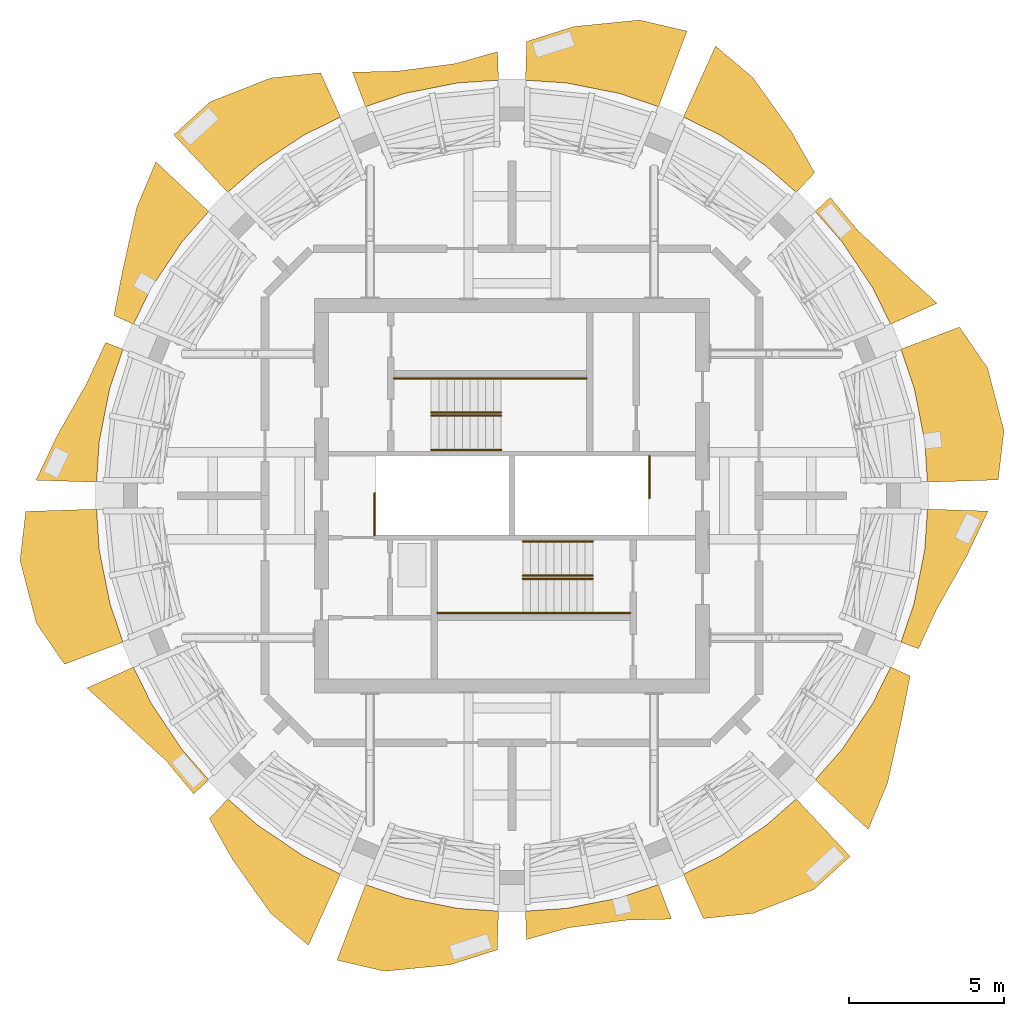
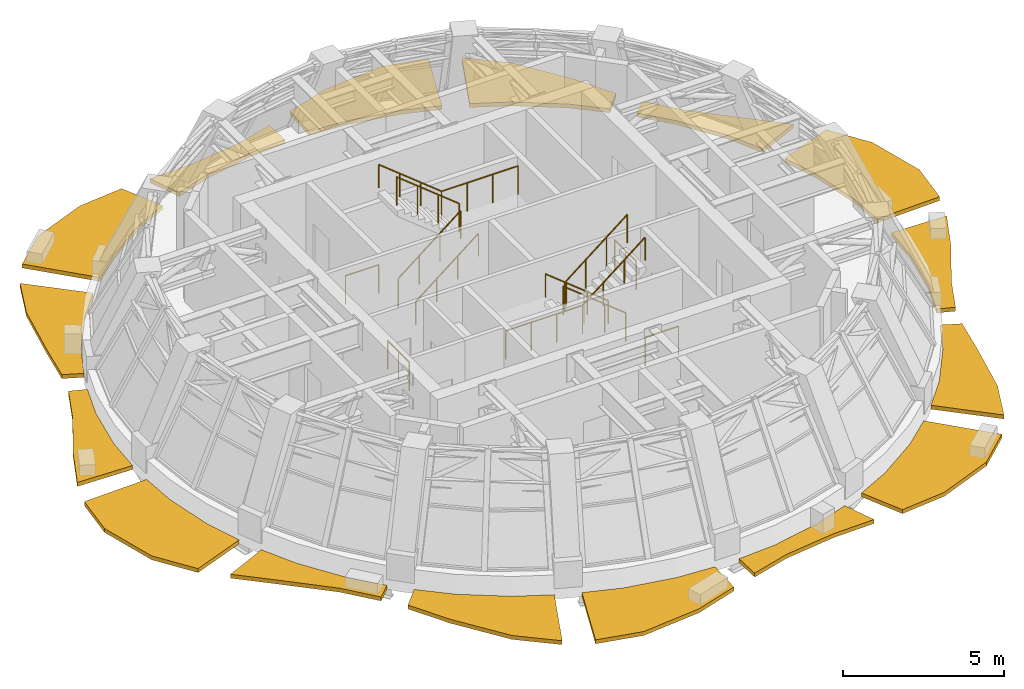
# One storey, part 11 of 12: 16 shading devices, 14 railings.
"""IFC4 building model written with IfcOpenShell, lengths in metres."""

from ifc_helpers import new_model, si_unit, direction, frame, origin, origin_2d, place, context, subcontext, project, spatial, polyline, circle, outline, extrude, material, type_object, element, save


model = new_model("IFC4")

# Units and contexts
model_context = context("Model", 3, precision=1e-05, world=origin(), true_north=direction((0.0, 1.0)))
body_context = subcontext(model_context, "Body", "Model", "MODEL_VIEW")
ifc_project = project(units=[si_unit("LENGTHUNIT", "METRE"), si_unit("AREAUNIT", "SQUARE_METRE"), si_unit("VOLUMEUNIT", "CUBIC_METRE"), si_unit("PLANEANGLEUNIT", "RADIAN"), si_unit("MASSUNIT", "GRAM", prefix="KILO")], contexts=[model_context])

# Site, building, storey
site_placement = place(None, origin())
site = spatial("IfcSite", under=ifc_project, at=site_placement, CompositionType="ELEMENT")
building_placement = place(site_placement, origin())
building = spatial("IfcBuilding", under=site, at=building_placement, Name="Polderwave Tower", CompositionType="ELEMENT")
storey_placement = place(building_placement, frame((0.0, 0.0, 235.39990234375)))
storey = spatial("IfcBuildingStorey", under=building, at=storey_placement, Name="L64", CompositionType="ELEMENT", Elevation=235.39990234375)

# Railings
ifc_material_1 = material(Name="Stainless steel", Category="steel")
railing_type_1 = type_object("IfcRailingType", Name="Stair guard 1100", PredefinedType="GUARDRAIL", material=ifc_material_1)
railing_1_placement = place(storey_placement, frame((-4.424072265625, -1.27490234375, 0.0)))
element("IfcRailing", 1, at=railing_1_placement, inside=storey, type_object=railing_type_1, Name="L64 ST-A top well guard 1", PredefinedType="GUARDRAIL", context=body_context, shape_type="SweptSolid", body=[
    extrude(circle(Radius=0.02392578125, at=origin_2d()), frame((0.0, 0.0, 1.076171875), z_axis=(0.0, 1.0, 0.0), x_axis=(-1.0, 0.0, 0.0)), (0.0, 0.0, 1.0), 1.349853515625),
    extrude(circle(Radius=0.02099609375, at=origin_2d()), origin(), (0.0, 0.0, 1.0), 1.052001953125),
    extrude(circle(Radius=0.02099609375, at=origin_2d()), frame((0.0, 0.6748046875, 0.0)), (0.0, 0.0, 1.0), 1.052001953125),
    extrude(circle(Radius=0.02099609375, at=origin_2d()), frame((0.0, 1.349853515625, 0.0)), (0.0, 0.0, 1.0), 1.052001953125),
])
railing_2_placement = place(storey_placement, frame((4.424072265625, 1.27490234375, 0.0)))
element("IfcRailing", 2, at=railing_2_placement, inside=storey, type_object=railing_type_1, Name="L64 ST-B top well guard 1", PredefinedType="GUARDRAIL", context=body_context, shape_type="SweptSolid", body=[
    extrude(circle(Radius=0.02392578125, at=origin_2d()), frame((0.0, 0.0, 1.076171875), z_axis=(0.0, -1.0, 0.0), x_axis=(1.0, 0.0, 0.0)), (0.0, 0.0, 1.0), 1.349853515625),
    extrude(circle(Radius=0.02099609375, at=origin_2d()), origin(), (0.0, 0.0, 1.0), 1.052001953125),
    extrude(circle(Radius=0.02099609375, at=origin_2d()), frame((0.0, -0.6748046875, 0.0)), (0.0, 0.0, 1.0), 1.052001953125),
    extrude(circle(Radius=0.02099609375, at=origin_2d()), frame((0.0, -1.349853515625, 0.0)), (0.0, 0.0, 1.0), 1.052001953125),
])
railing_3_placement = place(storey_placement, frame((-2.60009765625, 2.574951171875, 0.2001953125)))
element("IfcRailing", 3, at=railing_3_placement, inside=storey, type_object=railing_type_1, Name="L64 ST-S1 stair guard 1", PredefinedType="GUARDRAIL", context=body_context, shape_type="SweptSolid", body=[
    extrude(circle(Radius=0.02392578125, at=origin_2d()), frame((0.0, 0.0, 1.076171875), z_axis=(0.780901874994, 0.0, 0.624653713374), x_axis=(0.0, 1.0, 0.0)), (0.0, 0.0, 1.0), 2.88134765625),
    extrude(circle(Radius=0.02099609375, at=origin_2d()), origin(), (0.0, 0.0, 1.0), 1.052001953125),
    extrude(circle(Radius=0.02099609375, at=origin_2d()), frame((0.75, 0.0, 0.599853515625)), (0.0, 0.0, 1.0), 1.052001953125),
    extrude(circle(Radius=0.02099609375, at=origin_2d()), frame((1.5, 0.0, 1.199951171875)), (0.0, 0.0, 1.0), 1.052001953125),
    extrude(circle(Radius=0.02099609375, at=origin_2d()), frame((2.25, 0.0, 1.7998046875)), (0.0, 0.0, 1.0), 1.052001953125),
])
railing_4_placement = place(storey_placement, frame((-0.35009765625, 3.77490234375, 2.0)))
element("IfcRailing", 4, at=railing_4_placement, inside=storey, type_object=railing_type_1, Name="L64 ST-S1 stair guard 3", PredefinedType="GUARDRAIL", context=body_context, shape_type="SweptSolid", body=[
    extrude(circle(Radius=0.02392578125, at=origin_2d()), frame((0.0, 0.0, 1.076171875), z_axis=(1.0, 0.0, 0.0), x_axis=(0.0, 1.0, 0.0)), (0.0, 0.0, 1.0), 2.75),
    extrude(circle(Radius=0.02099609375, at=origin_2d()), origin(), (0.0, 0.0, 1.0), 1.052001953125),
    extrude(circle(Radius=0.02099609375, at=origin_2d()), frame((0.916748046875, 0.0, 0.0)), (0.0, 0.0, 1.0), 1.052001953125),
    extrude(circle(Radius=0.02099609375, at=origin_2d()), frame((1.833251953125, 0.0, 0.0)), (0.0, 0.0, 1.0), 1.052001953125),
    extrude(circle(Radius=0.02099609375, at=origin_2d()), frame((2.75, 0.0, 0.0)), (0.0, 0.0, 1.0), 1.052001953125),
])
railing_5_placement = place(storey_placement, frame((-0.35009765625, 2.675048828125, 2.2001953125)))
element("IfcRailing", 5, at=railing_5_placement, inside=storey, type_object=railing_type_1, Name="L64 ST-S1 stair guard 4", PredefinedType="GUARDRAIL", context=body_context, shape_type="SweptSolid", body=[
    extrude(circle(Radius=0.02392578125, at=origin_2d()), frame((0.0, 0.0, 1.076171875), z_axis=(-0.780901874994, 0.0, 0.624653713374), x_axis=(0.0, -1.0, 0.0)), (0.0, 0.0, 1.0), 2.88134765625),
    extrude(circle(Radius=0.02099609375, at=origin_2d()), origin(), (0.0, 0.0, 1.0), 1.052001953125),
    extrude(circle(Radius=0.02099609375, at=origin_2d()), frame((-0.75, 0.0, 0.599853515625)), (0.0, 0.0, 1.0), 1.052001953125),
    extrude(circle(Radius=0.02099609375, at=origin_2d()), frame((-1.5, 0.0, 1.199951171875)), (0.0, 0.0, 1.0), 1.052001953125),
    extrude(circle(Radius=0.02099609375, at=origin_2d()), frame((-2.25, 0.0, 1.7998046875)), (0.0, 0.0, 1.0), 1.052001953125),
])
railing_6_placement = place(storey_placement, frame((-3.800048828125, 3.77490234375, 0.0)))
element("IfcRailing", 6, at=railing_6_placement, inside=storey, type_object=railing_type_1, Name="L64 ST-S1 stair guard 6", PredefinedType="GUARDRAIL", context=body_context, shape_type="SweptSolid", body=[
    extrude(circle(Radius=0.02392578125, at=origin_2d()), frame((0.0, 0.0, 1.076171875), z_axis=(1.0, 0.0, 0.0), x_axis=(0.0, 1.0, 0.0)), (0.0, 0.0, 1.0), 1.199951171875),
    extrude(circle(Radius=0.02099609375, at=origin_2d()), origin(), (0.0, 0.0, 1.0), 1.052001953125),
    extrude(circle(Radius=0.02099609375, at=origin_2d()), frame((1.199951171875, 0.0, 0.0)), (0.0, 0.0, 1.0), 1.052001953125),
])
railing_7_placement = place(storey_placement, frame((2.60009765625, -2.574951171875, 0.2001953125)))
element("IfcRailing", 7, at=railing_7_placement, inside=storey, type_object=railing_type_1, Name="L64 ST-S2 stair guard 1", PredefinedType="GUARDRAIL", context=body_context, shape_type="SweptSolid", body=[
    extrude(circle(Radius=0.02392578125, at=origin_2d()), frame((0.0, 0.0, 1.076171875), z_axis=(-0.780901874994, 0.0, 0.624653713374), x_axis=(0.0, -1.0, 0.0)), (0.0, 0.0, 1.0), 2.88134765625),
    extrude(circle(Radius=0.02099609375, at=origin_2d()), origin(), (0.0, 0.0, 1.0), 1.052001953125),
    extrude(circle(Radius=0.02099609375, at=origin_2d()), frame((-0.75, 0.0, 0.599853515625)), (0.0, 0.0, 1.0), 1.052001953125),
    extrude(circle(Radius=0.02099609375, at=origin_2d()), frame((-1.5, 0.0, 1.199951171875)), (0.0, 0.0, 1.0), 1.052001953125),
    extrude(circle(Radius=0.02099609375, at=origin_2d()), frame((-2.25, 0.0, 1.7998046875)), (0.0, 0.0, 1.0), 1.052001953125),
])
railing_8_placement = place(storey_placement, frame((0.35009765625, -3.77490234375, 2.0)))
element("IfcRailing", 8, at=railing_8_placement, inside=storey, type_object=railing_type_1, Name="L64 ST-S2 stair guard 3", PredefinedType="GUARDRAIL", context=body_context, shape_type="SweptSolid", body=[
    extrude(circle(Radius=0.02392578125, at=origin_2d()), frame((0.0, 0.0, 1.076171875), z_axis=(-1.0, 0.0, 0.0), x_axis=(0.0, -1.0, 0.0)), (0.0, 0.0, 1.0), 2.75),
    extrude(circle(Radius=0.02099609375, at=origin_2d()), origin(), (0.0, 0.0, 1.0), 1.052001953125),
    extrude(circle(Radius=0.02099609375, at=origin_2d()), frame((-0.916748046875, 0.0, 0.0)), (0.0, 0.0, 1.0), 1.052001953125),
    extrude(circle(Radius=0.02099609375, at=origin_2d()), frame((-1.833251953125, 0.0, 0.0)), (0.0, 0.0, 1.0), 1.052001953125),
    extrude(circle(Radius=0.02099609375, at=origin_2d()), frame((-2.75, 0.0, 0.0)), (0.0, 0.0, 1.0), 1.052001953125),
])
railing_9_placement = place(storey_placement, frame((0.35009765625, -2.675048828125, 2.2001953125)))
element("IfcRailing", 9, at=railing_9_placement, inside=storey, type_object=railing_type_1, Name="L64 ST-S2 stair guard 4", PredefinedType="GUARDRAIL", context=body_context, shape_type="SweptSolid", body=[
    extrude(circle(Radius=0.02392578125, at=origin_2d()), frame((0.0, 0.0, 1.076171875), z_axis=(0.780901874994, 0.0, 0.624653713374), x_axis=(0.0, 1.0, 0.0)), (0.0, 0.0, 1.0), 2.88134765625),
    extrude(circle(Radius=0.02099609375, at=origin_2d()), origin(), (0.0, 0.0, 1.0), 1.052001953125),
    extrude(circle(Radius=0.02099609375, at=origin_2d()), frame((0.75, 0.0, 0.599853515625)), (0.0, 0.0, 1.0), 1.052001953125),
    extrude(circle(Radius=0.02099609375, at=origin_2d()), frame((1.5, 0.0, 1.199951171875)), (0.0, 0.0, 1.0), 1.052001953125),
    extrude(circle(Radius=0.02099609375, at=origin_2d()), frame((2.25, 0.0, 1.7998046875)), (0.0, 0.0, 1.0), 1.052001953125),
])
railing_10_placement = place(storey_placement, frame((3.800048828125, -3.77490234375, 0.0)))
element("IfcRailing", 10, at=railing_10_placement, inside=storey, type_object=railing_type_1, Name="L64 ST-S2 stair guard 6", PredefinedType="GUARDRAIL", context=body_context, shape_type="SweptSolid", body=[
    extrude(circle(Radius=0.02392578125, at=origin_2d()), frame((0.0, 0.0, 1.076171875), z_axis=(-1.0, 0.0, 0.0), x_axis=(0.0, -1.0, 0.0)), (0.0, 0.0, 1.0), 1.199951171875),
    extrude(circle(Radius=0.02099609375, at=origin_2d()), origin(), (0.0, 0.0, 1.0), 1.052001953125),
    extrude(circle(Radius=0.02099609375, at=origin_2d()), frame((-1.199951171875, 0.0, 0.0)), (0.0, 0.0, 1.0), 1.052001953125),
])
railing_type_2 = type_object("IfcRailingType", Name="Stair handrail 900", PredefinedType="HANDRAIL", material=ifc_material_1)
railing_11_placement = place(storey_placement, frame((-2.60009765625, 1.47509765625, 0.2001953125)))
element("IfcRailing", 11, at=railing_11_placement, inside=storey, type_object=railing_type_2, Name="L64 ST-S1 stair handrail 1", PredefinedType="HANDRAIL", context=body_context, shape_type="SweptSolid", body=[
    extrude(circle(Radius=0.02392578125, at=origin_2d()), frame((0.0, 0.0, 0.8759765625), z_axis=(0.780901874994, 0.0, 0.624653713374), x_axis=(0.0, 1.0, 0.0)), (0.0, 0.0, 1.0), 2.88134765625),
    extrude(circle(Radius=0.02099609375, at=origin_2d()), origin(), (0.0, 0.0, 1.0), 0.851806640625),
    extrude(circle(Radius=0.02099609375, at=origin_2d()), frame((0.75, 0.0, 0.599853515625)), (0.0, 0.0, 1.0), 0.851806640625),
    extrude(circle(Radius=0.02099609375, at=origin_2d()), frame((1.5, 0.0, 1.199951171875)), (0.0, 0.0, 1.0), 0.851806640625),
    extrude(circle(Radius=0.02099609375, at=origin_2d()), frame((2.25, 0.0, 1.7998046875)), (0.0, 0.0, 1.0), 0.851806640625),
])
for number, where, name in (
    (12, (-0.35009765625, 3.77490234375, 2.2001953125), "L64 ST-S1 stair handrail 2"),
    (13, (2.60009765625, -1.47509765625, 0.2001953125), "L64 ST-S2 stair handrail 1"),
):
    element("IfcRailing", number, at=place(storey_placement, frame(where)), inside=storey, type_object=railing_type_2, Name=name, PredefinedType="HANDRAIL", context=body_context, shape_type="SweptSolid", body=[
        extrude(circle(Radius=0.02392578125, at=origin_2d()), frame((0.0, 0.0, 0.8759765625), z_axis=(-0.780901874994, 0.0, 0.624653713374), x_axis=(0.0, -1.0, 0.0)), (0.0, 0.0, 1.0), 2.88134765625),
        extrude(circle(Radius=0.02099609375, at=origin_2d()), origin(), (0.0, 0.0, 1.0), 0.851806640625),
        extrude(circle(Radius=0.02099609375, at=origin_2d()), frame((-0.75, 0.0, 0.599853515625)), (0.0, 0.0, 1.0), 0.851806640625),
        extrude(circle(Radius=0.02099609375, at=origin_2d()), frame((-1.5, 0.0, 1.199951171875)), (0.0, 0.0, 1.0), 0.851806640625),
        extrude(circle(Radius=0.02099609375, at=origin_2d()), frame((-2.25, 0.0, 1.7998046875)), (0.0, 0.0, 1.0), 0.851806640625),
    ])
railing_12_placement = place(storey_placement, frame((0.35009765625, -3.77490234375, 2.2001953125)))
element("IfcRailing", 14, at=railing_12_placement, inside=storey, type_object=railing_type_2, Name="L64 ST-S2 stair handrail 2", PredefinedType="HANDRAIL", context=body_context, shape_type="SweptSolid", body=[
    extrude(circle(Radius=0.02392578125, at=origin_2d()), frame((0.0, 0.0, 0.8759765625), z_axis=(0.780901874994, 0.0, 0.624653713374), x_axis=(0.0, 1.0, 0.0)), (0.0, 0.0, 1.0), 2.88134765625),
    extrude(circle(Radius=0.02099609375, at=origin_2d()), origin(), (0.0, 0.0, 1.0), 0.851806640625),
    extrude(circle(Radius=0.02099609375, at=origin_2d()), frame((0.75, 0.0, 0.599853515625)), (0.0, 0.0, 1.0), 0.851806640625),
    extrude(circle(Radius=0.02099609375, at=origin_2d()), frame((1.5, 0.0, 1.199951171875)), (0.0, 0.0, 1.0), 0.851806640625),
    extrude(circle(Radius=0.02099609375, at=origin_2d()), frame((2.25, 0.0, 1.7998046875)), (0.0, 0.0, 1.0), 0.851806640625),
])

# Shading devices
ifc_material_2 = material(Name="Terracotta", Category="masonry")
shading_device_type = type_object("IfcShadingDeviceType", Name="Terracotta sunshade band", PredefinedType="USERDEFINED", material=ifc_material_2)
shading_device_1_placement = place(storey_placement, frame((0.0, 0.0, -0.89990234375)))
element("IfcShadingDevice", 15, at=shading_device_1_placement, inside=storey, type_object=shading_device_type, Name="Sunshade band L64 1", ObjectType="SUNSHADE", PredefinedType="USERDEFINED", context=body_context, shape_type="SweptSolid", body=[
    extrude(outline(polyline([(13.37158203125, 0.43359375), (13.285400390625, 1.7490234375), (12.943359375, 3.46826171875), (12.51953125, 4.716552734375), (14.404052734375, 5.426513671875), (15.310546875, 4.1025390625), (15.836669921875, 2.0849609375), (15.650390625, 0.507568359375), (13.37158203125, 0.43359375)])), origin(), (0.0, 0.0, 1.0), 0.14990234375),
])
shading_device_2_placement = place(storey_placement, frame((0.0, 0.0, -0.89990234375)))
element("IfcShadingDevice", 16, at=shading_device_2_placement, inside=storey, type_object=shading_device_type, Name="Sunshade band L64 2", ObjectType="SUNSHADE", PredefinedType="USERDEFINED", context=body_context, shape_type="SweptSolid", body=[
    extrude(outline(polyline([(12.187744140625, 5.517578125), (11.604736328125, 6.699951171875), (10.630859375, 8.157470703125), (9.76171875, 9.148681640625), (10.24609375, 9.602294921875), (11.128173828125, 8.5390625), (12.53515625, 7.2373046875), (13.6796875, 6.193115234375), (12.187744140625, 5.517578125)])), origin(), (0.0, 0.0, 1.0), 0.14990234375),
])
shading_device_3_placement = place(storey_placement, frame((0.0, 0.0, -0.89990234375)))
element("IfcShadingDevice", 17, at=shading_device_3_placement, inside=storey, type_object=shading_device_type, Name="Sunshade band L64 3", ObjectType="SUNSHADE", PredefinedType="USERDEFINED", context=body_context, shape_type="SweptSolid", body=[
    extrude(outline(polyline([(9.148681640625, 9.76171875), (8.157470703125, 10.630859375), (6.699951171875, 11.604736328125), (5.517578125, 12.187744140625), (6.552978515625, 14.474853515625), (7.7626953125, 13.445556640625), (8.991455078125, 11.718017578125), (9.7412109375, 10.394287109375), (9.148681640625, 9.76171875)])), origin(), (0.0, 0.0, 1.0), 0.14990234375),
])
shading_device_4_placement = place(storey_placement, frame((0.0, 0.0, -0.89990234375)))
element("IfcShadingDevice", 18, at=shading_device_4_placement, inside=storey, type_object=shading_device_type, Name="Sunshade band L64 4", ObjectType="SUNSHADE", PredefinedType="USERDEFINED", context=body_context, shape_type="SweptSolid", body=[
    extrude(outline(polyline([(4.716552734375, 12.51953125), (3.46826171875, 12.943359375), (1.7490234375, 13.285400390625), (0.43359375, 13.37158203125), (0.47412109375, 14.61962890625), (1.98779296875, 15.099609375), (4.1025390625, 15.310546875), (5.6328125, 14.9521484375), (4.716552734375, 12.51953125)])), origin(), (0.0, 0.0, 1.0), 0.14990234375),
])
shading_device_5_placement = place(storey_placement, frame((0.0, 0.0, -0.89990234375)))
element("IfcShadingDevice", 19, at=shading_device_5_placement, inside=storey, type_object=shading_device_type, Name="Sunshade band L64 5", ObjectType="SUNSHADE", PredefinedType="USERDEFINED", context=body_context, shape_type="SweptSolid", body=[
    extrude(outline(polyline([(-0.43359375, 13.37158203125), (-1.7490234375, 13.285400390625), (-3.46826171875, 12.943359375), (-4.716552734375, 12.51953125), (-5.134765625, 13.6298828125), (-3.662109375, 13.6669921875), (-1.830810546875, 13.90673828125), (-0.46337890625, 14.291015625), (-0.43359375, 13.37158203125)])), origin(), (0.0, 0.0, 1.0), 0.14990234375),
])
shading_device_6_placement = place(storey_placement, frame((0.0, 0.0, -0.89990234375)))
element("IfcShadingDevice", 20, at=shading_device_6_placement, inside=storey, type_object=shading_device_type, Name="Sunshade band L64 6", ObjectType="SUNSHADE", PredefinedType="USERDEFINED", context=body_context, shape_type="SweptSolid", body=[
    extrude(outline(polyline([(-5.517578125, 12.187744140625), (-6.699951171875, 11.604736328125), (-8.157470703125, 10.630859375), (-9.148681640625, 9.76171875), (-10.8828125, 11.6123046875), (-9.723876953125, 12.67236328125), (-7.7626953125, 13.445556640625), (-6.162109375, 13.611083984375), (-5.517578125, 12.187744140625)])), origin(), (0.0, 0.0, 1.0), 0.14990234375),
])
shading_device_7_placement = place(storey_placement, frame((0.0, 0.0, -0.89990234375)))
element("IfcShadingDevice", 21, at=shading_device_7_placement, inside=storey, type_object=shading_device_type, Name="Sunshade band L64 7", ObjectType="SUNSHADE", PredefinedType="USERDEFINED", context=body_context, shape_type="SweptSolid", body=[
    extrude(outline(polyline([(-9.76171875, 9.148681640625), (-10.630859375, 8.157470703125), (-11.604736328125, 6.699951171875), (-12.187744140625, 5.517578125), (-12.81591796875, 5.802001953125), (-12.53515625, 7.2373046875), (-12.082763671875, 9.271484375), (-11.464111328125, 10.743896484375), (-9.76171875, 9.148681640625)])), origin(), (0.0, 0.0, 1.0), 0.14990234375),
])
shading_device_8_placement = place(storey_placement, frame((0.0, 0.0, -0.89990234375)))
element("IfcShadingDevice", 22, at=shading_device_8_placement, inside=storey, type_object=shading_device_type, Name="Sunshade band L64 8", ObjectType="SUNSHADE", PredefinedType="USERDEFINED", context=body_context, shape_type="SweptSolid", body=[
    extrude(outline(polyline([(-12.51953125, 4.716552734375), (-12.943359375, 3.46826171875), (-13.285400390625, 1.7490234375), (-13.37158203125, 0.43359375), (-15.32177734375, 0.496826171875), (-14.643798828125, 1.927978515625), (-13.6669921875, 3.662109375), (-13.081787109375, 4.92822265625), (-12.51953125, 4.716552734375)])), origin(), (0.0, 0.0, 1.0), 0.14990234375),
])
shading_device_9_placement = place(storey_placement, frame((0.0, 0.0, -0.89990234375)))
element("IfcShadingDevice", 23, at=shading_device_9_placement, inside=storey, type_object=shading_device_type, Name="Sunshade band L64 9", ObjectType="SUNSHADE", PredefinedType="USERDEFINED", context=body_context, shape_type="SweptSolid", body=[
    extrude(outline(polyline([(-13.37158203125, -0.43359375), (-13.285400390625, -1.7490234375), (-12.943359375, -3.46826171875), (-12.51953125, -4.716552734375), (-14.404052734375, -5.426513671875), (-15.310546875, -4.1025390625), (-15.836669921875, -2.0849609375), (-15.650390625, -0.507568359375), (-13.37158203125, -0.43359375)])), origin(), (0.0, 0.0, 1.0), 0.14990234375),
])
shading_device_10_placement = place(storey_placement, frame((0.0, 0.0, -0.89990234375)))
element("IfcShadingDevice", 24, at=shading_device_10_placement, inside=storey, type_object=shading_device_type, Name="Sunshade band L64 10", ObjectType="SUNSHADE", PredefinedType="USERDEFINED", context=body_context, shape_type="SweptSolid", body=[
    extrude(outline(polyline([(-12.187744140625, -5.517578125), (-11.604736328125, -6.699951171875), (-10.630859375, -8.157470703125), (-9.76171875, -9.148681640625), (-10.24609375, -9.602294921875), (-11.128173828125, -8.5390625), (-12.53515625, -7.2373046875), (-13.6796875, -6.193115234375), (-12.187744140625, -5.517578125)])), origin(), (0.0, 0.0, 1.0), 0.14990234375),
])
shading_device_11_placement = place(storey_placement, frame((0.0, 0.0, -0.89990234375)))
element("IfcShadingDevice", 25, at=shading_device_11_placement, inside=storey, type_object=shading_device_type, Name="Sunshade band L64 11", ObjectType="SUNSHADE", PredefinedType="USERDEFINED", context=body_context, shape_type="SweptSolid", body=[
    extrude(outline(polyline([(-9.148681640625, -9.76171875), (-8.157470703125, -10.630859375), (-6.699951171875, -11.604736328125), (-5.517578125, -12.187744140625), (-6.552978515625, -14.474853515625), (-7.7626953125, -13.445556640625), (-8.991455078125, -11.718017578125), (-9.7412109375, -10.394287109375), (-9.148681640625, -9.76171875)])), origin(), (0.0, 0.0, 1.0), 0.14990234375),
])
shading_device_12_placement = place(storey_placement, frame((0.0, 0.0, -0.89990234375)))
element("IfcShadingDevice", 26, at=shading_device_12_placement, inside=storey, type_object=shading_device_type, Name="Sunshade band L64 12", ObjectType="SUNSHADE", PredefinedType="USERDEFINED", context=body_context, shape_type="SweptSolid", body=[
    extrude(outline(polyline([(-4.716552734375, -12.51953125), (-3.46826171875, -12.943359375), (-1.7490234375, -13.285400390625), (-0.43359375, -13.37158203125), (-0.47412109375, -14.61962890625), (-1.98779296875, -15.099609375), (-4.1025390625, -15.310546875), (-5.6328125, -14.9521484375), (-4.716552734375, -12.51953125)])), origin(), (0.0, 0.0, 1.0), 0.14990234375),
])
shading_device_13_placement = place(storey_placement, frame((0.0, 0.0, -0.89990234375)))
element("IfcShadingDevice", 27, at=shading_device_13_placement, inside=storey, type_object=shading_device_type, Name="Sunshade band L64 13", ObjectType="SUNSHADE", PredefinedType="USERDEFINED", context=body_context, shape_type="SweptSolid", body=[
    extrude(outline(polyline([(0.43359375, -13.37158203125), (1.7490234375, -13.285400390625), (3.46826171875, -12.943359375), (4.716552734375, -12.51953125), (5.134765625, -13.6298828125), (3.662109375, -13.6669921875), (1.830810546875, -13.90673828125), (0.46337890625, -14.291015625), (0.43359375, -13.37158203125)])), origin(), (0.0, 0.0, 1.0), 0.14990234375),
])
shading_device_14_placement = place(storey_placement, frame((0.0, 0.0, -0.89990234375)))
element("IfcShadingDevice", 28, at=shading_device_14_placement, inside=storey, type_object=shading_device_type, Name="Sunshade band L64 14", ObjectType="SUNSHADE", PredefinedType="USERDEFINED", context=body_context, shape_type="SweptSolid", body=[
    extrude(outline(polyline([(5.517578125, -12.187744140625), (6.699951171875, -11.604736328125), (8.157470703125, -10.630859375), (9.148681640625, -9.76171875), (10.8828125, -11.6123046875), (9.723876953125, -12.67236328125), (7.7626953125, -13.445556640625), (6.162109375, -13.611083984375), (5.517578125, -12.187744140625)])), origin(), (0.0, 0.0, 1.0), 0.14990234375),
])
shading_device_15_placement = place(storey_placement, frame((0.0, 0.0, -0.89990234375)))
element("IfcShadingDevice", 29, at=shading_device_15_placement, inside=storey, type_object=shading_device_type, Name="Sunshade band L64 15", ObjectType="SUNSHADE", PredefinedType="USERDEFINED", context=body_context, shape_type="SweptSolid", body=[
    extrude(outline(polyline([(9.76171875, -9.148681640625), (10.630859375, -8.157470703125), (11.604736328125, -6.699951171875), (12.187744140625, -5.517578125), (12.81591796875, -5.802001953125), (12.53515625, -7.2373046875), (12.082763671875, -9.271484375), (11.464111328125, -10.743896484375), (9.76171875, -9.148681640625)])), origin(), (0.0, 0.0, 1.0), 0.14990234375),
])
shading_device_16_placement = place(storey_placement, frame((0.0, 0.0, -0.89990234375)))
element("IfcShadingDevice", 30, at=shading_device_16_placement, inside=storey, type_object=shading_device_type, Name="Sunshade band L64 16", ObjectType="SUNSHADE", PredefinedType="USERDEFINED", context=body_context, shape_type="SweptSolid", body=[
    extrude(outline(polyline([(12.51953125, -4.716552734375), (12.943359375, -3.46826171875), (13.285400390625, -1.7490234375), (13.37158203125, -0.43359375), (15.32177734375, -0.496826171875), (14.643798828125, -1.927978515625), (13.6669921875, -3.662109375), (13.081787109375, -4.92822265625), (12.51953125, -4.716552734375)])), origin(), (0.0, 0.0, 1.0), 0.14990234375),
])

save(model, "model.ifc")
